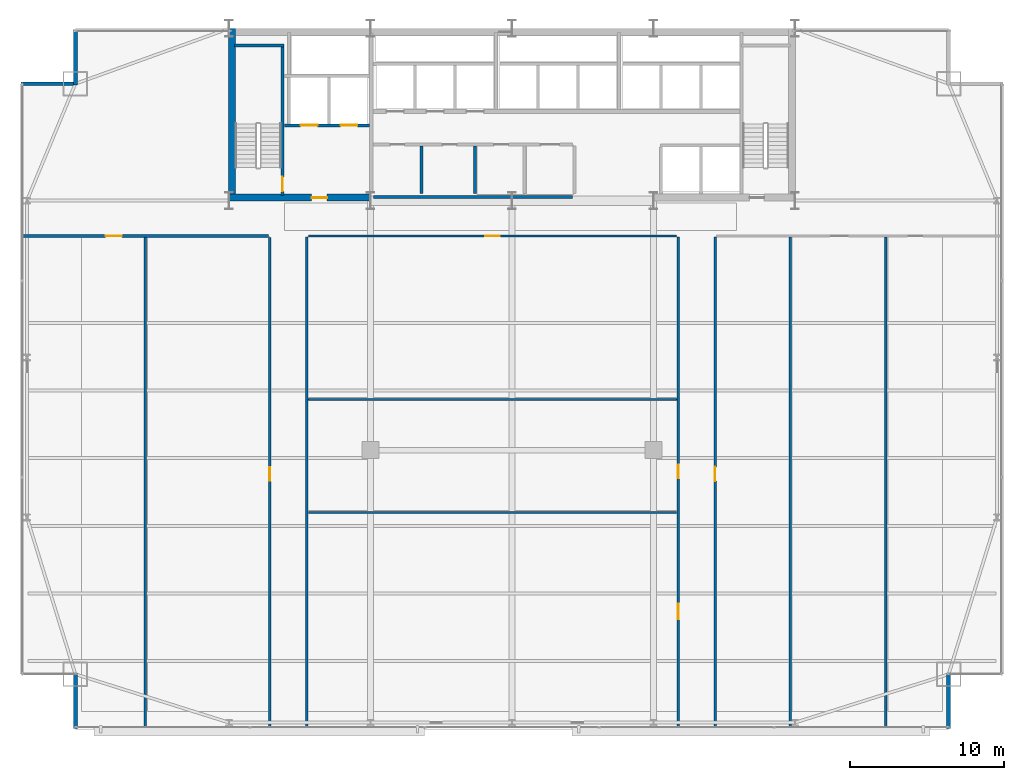
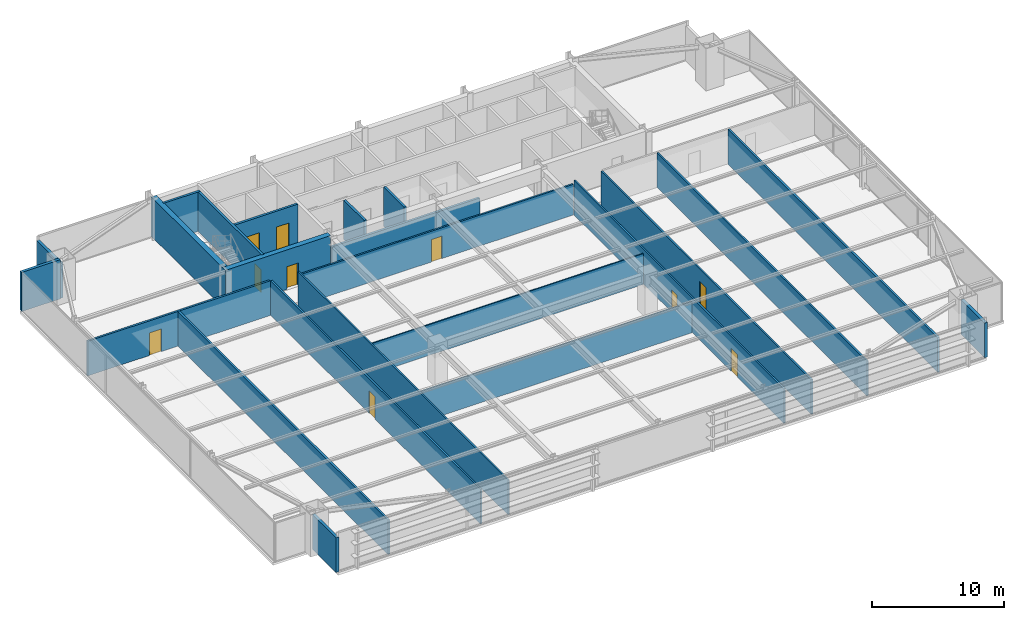
# One storey, part 28 of 32: 23 walls, 10 doors, 10 openings.
"""IFC4 building model written with IfcOpenShell, lengths in metres."""

from ifc_helpers import new_model, si_unit, direction, frame, frame_2d, origin, place, context, subcontext, project, spatial, rectangle, extrude, source, transform, mapped, material, layer, layer_set, type_object, type_shapes, element, fill, save


model = new_model("IFC4")

# Units and contexts
model_context = context("Model", 3, precision=1e-05, world=origin(), true_north=direction((0.0, 1.0)))
body_context = subcontext(model_context, "Body", "Model", "MODEL_VIEW")
ifc_project = project(units=[si_unit("LENGTHUNIT", "METRE"), si_unit("AREAUNIT", "SQUARE_METRE"), si_unit("VOLUMEUNIT", "CUBIC_METRE"), si_unit("PLANEANGLEUNIT", "RADIAN"), si_unit("MASSUNIT", "GRAM", prefix="KILO")], contexts=[model_context])

# Site, building, storey
site_placement = place(None, origin())
site = spatial("IfcSite", under=ifc_project, at=site_placement, CompositionType="ELEMENT")
building_placement = place(site_placement, origin())
building = spatial("IfcBuilding", under=site, at=building_placement, Name="Varnel Quay Broadcast Tower", CompositionType="ELEMENT")
storey_placement = place(building_placement, frame((0.0, 0.0, 70.5)))
storey = spatial("IfcBuildingStorey", under=building, at=storey_placement, Name="L16", CompositionType="ELEMENT", Elevation=70.5)

# Wall, opening, door
ifc_material_1 = material(Name="Concrete CSA A23.3 C50/60", Category="concrete")
ifc_layer_1 = layer(ifc_material_1, 0.199951171875, Name="Concrete CSA A23.3 C50/60")
ifc_layer_set_1 = layer_set([ifc_layer_1], Name="Concrete CSA A23.3 C50/60")
wall_type_1 = type_object("IfcWallType", Name="Wall_CoreShaftShear200", PredefinedType="SHEAR", material=ifc_layer_set_1)
wall_1_placement = place(storey_placement, frame((19.080078125, 35.949951171875, 0.0), z_axis=(0.0, 0.0, 1.0), x_axis=(0.0, 1.0, 0.0)))
wall_1 = element("IfcWall", 1, at=wall_1_placement, inside=storey, type_object=wall_type_1, Name="L16 Stair 1 East Structural Wall", PredefinedType="SHEAR", context=body_context, shape_type="SweptSolid", body=[
    extrude(rectangle(XDim=9.650146484375, YDim=0.199951171875, at=frame_2d((4.8251953125, 0.0))), origin(), (0.0, 0.0, 1.0), 3.64990234375),
])
opening_1_placement = place(wall_1_placement, frame((0.25, 0.0, 0.0)))
opening_1 = element("IfcOpeningElement", 2, at=opening_1_placement, cuts=wall_1, Name="Opening D-L16-S1", PredefinedType="OPENING", context=body_context, shape_type="SweptSolid", body=[
    extrude(rectangle(XDim=0.949951171875, YDim=2.10009765625, at=frame_2d((0.47509765625, 1.050048828125))), frame((0.0, 0.10986328125, 0.0), z_axis=(0.0, -1.0, 0.0), x_axis=(1.0, 0.0, 0.0)), (0.0, 0.0, 1.0), 0.219970703125),
])
ifc_material_2 = material(Name="Insulated Fire-Rated Hollow Steel Door", Category="steel")
door_type_1 = type_object("IfcDoorType", Name="Door_FireStair950", OperationType="NOTDEFINED", PredefinedType="DOOR", material=ifc_material_2)
shared_shape_1 = source(origin(), body_context, "Body", "SweptSolid", [
    extrude(rectangle(XDim=0.949951171875, YDim=2.10009765625, at=frame_2d((0.47509765625, 1.050048828125))), frame((0.0, 0.02490234375, 0.0), z_axis=(0.0, -1.0, 0.0), x_axis=(1.0, 0.0, 0.0)), (0.0, 0.0, 1.0), 0.050048828125),
])
type_shapes(door_type_1, [shared_shape_1])
door_1_placement = place(opening_1_placement, origin())
door_1 = element("IfcDoor", 3, at=door_1_placement, inside=storey, type_object=door_type_1, Name="L16 Stair 1 Fire Door", OperationType="SINGLE_SWING_LEFT", OverallHeight=2.10009765625, OverallWidth=0.949951171875, PredefinedType="DOOR", context=body_context, shape_type="MappedRepresentation", body=[
    mapped(shared_shape_1, transform((0.0, 0.0, 0.0), x_axis=(1.0, 0.0, 0.0), y_axis=(0.0, 1.0, 0.0), z_axis=(0.0, 0.0, 1.0), scale=1.0)),
])
fill(opening_1, door_1)

# Wall
wall_2_placement = place(storey_placement, frame((15.949951171875, 45.679931640625, 0.0), z_axis=(0.0, 0.0, 1.0), x_axis=(1.0, 0.0, 0.0)))
element("IfcWall", 4, at=wall_2_placement, inside=storey, type_object=wall_type_1, Name="L16 Stair 1 North Structural Wall", PredefinedType="SHEAR", context=body_context, shape_type="SweptSolid", body=[
    extrude(rectangle(XDim=3.22998046875, YDim=0.199951171875, at=frame_2d((1.614990234375, 0.0))), origin(), (0.0, 0.0, 1.0), 3.64990234375),
])

# Wall, openings, doors
wall_3_placement = place(storey_placement, frame((19.199951171875, 40.5, 0.0), z_axis=(0.0, 0.0, 1.0), x_axis=(1.0, 0.0, 0.0)))
wall_3 = element("IfcWall", 5, at=wall_3_placement, inside=storey, type_object=wall_type_1, Name="L16 Firefighter Lift Shaft Front Wall", PredefinedType="SHEAR", context=body_context, shape_type="SweptSolid", body=[
    extrude(rectangle(XDim=5.52001953125, YDim=0.199951171875, at=frame_2d((2.760009765625, 0.0))), origin(), (0.0, 0.0, 1.0), 3.64990234375),
])
opening_2_placement = place(wall_3_placement, frame((1.050048828125, 0.0, 0.0)))
opening_2 = element("IfcOpeningElement", 6, at=opening_2_placement, cuts=wall_3, Name="Opening LD-L16-FE1", PredefinedType="OPENING", context=body_context, shape_type="SweptSolid", body=[
    extrude(rectangle(XDim=1.10009765625, YDim=2.179931640625, at=frame_2d((0.550048828125, 1.08984375))), frame((0.0, 0.10986328125, 0.0), z_axis=(0.0, -1.0, 0.0), x_axis=(1.0, 0.0, 0.0)), (0.0, 0.0, 1.0), 0.219970703125),
])
opening_3_placement = place(wall_3_placement, frame((3.64990234375, 0.0, 0.0)))
opening_3 = element("IfcOpeningElement", 7, at=opening_3_placement, cuts=wall_3, Name="Opening LD-L16-FE2", PredefinedType="OPENING", context=body_context, shape_type="SweptSolid", body=[
    extrude(rectangle(XDim=1.10009765625, YDim=2.179931640625, at=frame_2d((0.550048828125, 1.08984375))), frame((0.0, 0.10986328125, 0.0), z_axis=(0.0, -1.0, 0.0), x_axis=(1.0, 0.0, 0.0)), (0.0, 0.0, 1.0), 0.219970703125),
])
ifc_material_3 = material(Name="Brushed Bronze-Stainless Lift Car & Sliding Doors", Category="steel")
door_type_2 = type_object("IfcDoorType", Name="Door_LiftLanding1100", OperationType="SLIDING_TO_LEFT", PredefinedType="DOOR", material=ifc_material_3)
shared_shape_2 = source(origin(), body_context, "Body", "SweptSolid", [
    extrude(rectangle(XDim=1.10009765625, YDim=2.179931640625, at=frame_2d((0.550048828125, 1.08984375))), frame((0.0, 0.02490234375, 0.0), z_axis=(0.0, -1.0, 0.0), x_axis=(1.0, 0.0, 0.0)), (0.0, 0.0, 1.0), 0.050048828125),
])
type_shapes(door_type_2, [shared_shape_2])
door_2_placement = place(opening_2_placement, frame((1.10009765625, 0.0, 0.0), z_axis=(0.0, 0.0, 1.0), x_axis=(-1.0, 0.0, 0.0)))
door_2 = element("IfcDoor", 8, at=door_2_placement, inside=storey, type_object=door_type_2, Name="L16 Firefighter Lift FE-01 Landing Door", OperationType="SLIDING_TO_LEFT", OverallHeight=2.179931640625, OverallWidth=1.10009765625, PredefinedType="DOOR", context=body_context, shape_type="MappedRepresentation", body=[
    mapped(shared_shape_2, transform((0.0, 0.0, 0.0), x_axis=(1.0, 0.0, 0.0), y_axis=(0.0, 1.0, 0.0), z_axis=(0.0, 0.0, 1.0), scale=1.0)),
])
fill(opening_2, door_2)
door_3_placement = place(opening_3_placement, frame((1.10009765625, 0.0, 0.0), z_axis=(0.0, 0.0, 1.0), x_axis=(-1.0, 0.0, 0.0)))
door_3 = element("IfcDoor", 9, at=door_3_placement, inside=storey, type_object=door_type_2, Name="L16 Firefighter Lift FE-02 Landing Door", OperationType="SLIDING_TO_RIGHT", OverallHeight=2.179931640625, OverallWidth=1.10009765625, PredefinedType="DOOR", context=body_context, shape_type="MappedRepresentation", body=[
    mapped(shared_shape_2, transform((0.0, 0.0, 0.0), x_axis=(1.0, 0.0, 0.0), y_axis=(0.0, 1.0, 0.0), z_axis=(0.0, 0.0, 1.0), scale=1.0)),
])
fill(opening_3, door_3)

# Wall
ifc_material_4 = material(Name="Concrete CSA A23.3 C60/75", Category="concrete")
ifc_layer_2 = layer(ifc_material_4, 0.449951171875, Name="Concrete CSA A23.3 C60/75")
ifc_layer_set_2 = layer_set([ifc_layer_2], Name="Concrete CSA A23.3 C60/75")
wall_type_2 = type_object("IfcWallType", Name="Wall_CoreShearInt450", PredefinedType="SHEAR", material=ifc_layer_set_2)
wall_4_placement = place(storey_placement, frame((15.794921875, 35.570068359375, 0.0), z_axis=(0.0, 0.0, 1.0), x_axis=(0.0, 1.0, 0.0)))
element("IfcWall", 10, at=wall_4_placement, inside=storey, type_object=wall_type_2, Name="L16 West Core Shear Wall", PredefinedType="SHEAR", context=body_context, shape_type="SweptSolid", body=[
    extrude(rectangle(XDim=11.22998046875, YDim=0.449951171875, at=frame_2d((5.614990234375, 0.0))), origin(), (0.0, 0.0, 1.0), 3.64990234375),
])

# Wall, opening, door
wall_5_placement = place(storey_placement, frame((15.570068359375, 35.794921875, 0.0), z_axis=(0.0, 0.0, 1.0), x_axis=(1.0, 0.0, 0.0)))
wall_5 = element("IfcWall", 11, at=wall_5_placement, inside=storey, type_object=wall_type_2, Name="L16 South-West Core Shear Wall", PredefinedType="SHEAR", context=body_context, shape_type="SweptSolid", body=[
    extrude(rectangle(XDim=9.22998046875, YDim=0.449951171875, at=frame_2d((4.614990234375, 0.0))), origin(), (0.0, 0.0, 1.0), 3.64990234375),
])
opening_4_placement = place(wall_5_placement, frame((5.39990234375, 0.0, 0.0)))
opening_4 = element("IfcOpeningElement", 12, at=opening_4_placement, cuts=wall_5, Name="Opening D-L16-FFL", PredefinedType="OPENING", context=body_context, shape_type="SweptSolid", body=[
    extrude(rectangle(XDim=1.0, YDim=2.10009765625, at=frame_2d((0.5, 1.050048828125))), frame((0.0, 0.23486328125, 0.0), z_axis=(0.0, -1.0, 0.0), x_axis=(1.0, 0.0, 0.0)), (0.0, 0.0, 1.0), 0.469970703125),
])
door_type_3 = type_object("IfcDoorType", Name="Door_FireLobby1000", OperationType="NOTDEFINED", PredefinedType="DOOR", material=ifc_material_2)
shared_shape_3 = source(origin(), body_context, "Body", "SweptSolid", [
    extrude(rectangle(XDim=1.0, YDim=2.10009765625, at=frame_2d((0.5, 1.050048828125))), frame((0.0, 0.02490234375, 0.0), z_axis=(0.0, -1.0, 0.0), x_axis=(1.0, 0.0, 0.0)), (0.0, 0.0, 1.0), 0.050048828125),
])
type_shapes(door_type_3, [shared_shape_3])
door_4_placement = place(opening_4_placement, origin())
door_4 = element("IfcDoor", 13, at=door_4_placement, inside=storey, type_object=door_type_3, Name="L16 Firefighting Lobby Door", OperationType="SINGLE_SWING_RIGHT", OverallHeight=2.10009765625, OverallWidth=1.0, PredefinedType="DOOR", context=body_context, shape_type="MappedRepresentation", body=[
    mapped(shared_shape_3, transform((0.0, 0.0, 0.0), x_axis=(1.0, 0.0, 0.0), y_axis=(0.0, 1.0, 0.0), z_axis=(0.0, 0.0, 1.0), scale=1.0)),
])
fill(opening_4, door_4)

# Walls
ifc_material_5 = material(Name="Precast Architectural Concrete C40/50", Category="concrete")
ifc_layer_3 = layer(ifc_material_5, 0.25, Name="Precast Architectural Concrete C40/50")
ifc_layer_set_3 = layer_set([ifc_layer_3], Name="Precast Architectural Concrete C40/50")
wall_type_3 = type_object("IfcWallType", Name="Wall_ExtTerrace250", PredefinedType="SOLIDWALL", material=ifc_layer_set_3)
for number, where, z_axis, x_axis, name in (
    (14, (5.60009765625, 1.280029296875, 0.0), (0.0, 0.0, 1.0), (0.0, 1.0, 0.0), "L16 Mega-Column Notch Cladding Wall NSW2"),
    (15, (62.39990234375, 1.280029296875, 0.0), (0.0, 0.0, 1.0), (0.0, 1.0, 0.0), "L16 Mega-Column Notch Cladding Wall NSE2"),
):
    element("IfcWall", number, at=place(storey_placement, frame(where, z_axis=z_axis, x_axis=x_axis)), inside=storey, type_object=wall_type_3, Name=name, PredefinedType="SOLIDWALL", context=body_context, shape_type="SweptSolid", body=[
        extrude(rectangle(XDim=3.599853515625, YDim=0.25, at=frame_2d((1.7998046875, 0.0))), origin(), (0.0, 0.0, 1.0), 3.2080078125),
    ])
wall_6_placement = place(storey_placement, frame((2.080078125, 43.199951171875, 0.0), z_axis=(0.0, 0.0, 1.0), x_axis=(1.0, 0.0, 0.0)))
element("IfcWall", 16, at=wall_6_placement, inside=storey, type_object=wall_type_3, Name="L16 Mega-Column Notch Cladding Wall NNW1", PredefinedType="SOLIDWALL", context=body_context, shape_type="SweptSolid", body=[
    extrude(rectangle(XDim=3.389892578125, YDim=0.25, at=frame_2d((1.69482421875, 0.0))), origin(), (0.0, 0.0, 1.0), 3.6298828125),
])
wall_7_placement = place(storey_placement, frame((5.60009765625, 43.1201171875, 0.0), z_axis=(0.0, 0.0, 1.0), x_axis=(0.0, 1.0, 0.0)))
element("IfcWall", 17, at=wall_7_placement, inside=storey, type_object=wall_type_3, Name="L16 Mega-Column Notch Cladding Wall NNW2", PredefinedType="SOLIDWALL", context=body_context, shape_type="SweptSolid", body=[
    extrude(rectangle(XDim=3.599853515625, YDim=0.25, at=frame_2d((1.7998046875, 0.0))), origin(), (0.0, 0.0, 1.0), 3.2080078125),
])
ifc_material_6 = material(Name="Concrete Blockwork Fire Enclosure C40/50", Category="masonry")
ifc_layer_4 = layer(ifc_material_6, 0.199951171875, Name="Concrete Blockwork Fire Enclosure C40/50")
ifc_layer_set_4 = layer_set([ifc_layer_4], Name="Concrete Blockwork Fire Enclosure C40/50")
wall_type_4 = type_object("IfcWallType", Name="Wall_FireShaft200", PredefinedType="SOLIDWALL", material=ifc_layer_set_4)
wall_8_placement = place(storey_placement, frame((25.0, 35.824951171875, 0.0), z_axis=(0.0, 0.0, 1.0), x_axis=(1.0, 0.0, 0.0)))
element("IfcWall", 18, at=wall_8_placement, inside=storey, type_object=wall_type_4, Name="L16 Accessible Universal Washroom Partition 1", PredefinedType="SOLIDWALL", context=body_context, shape_type="SweptSolid", body=[
    extrude(rectangle(XDim=12.949951171875, YDim=0.199951171875, at=frame_2d((6.47509765625, 0.0))), origin(), (0.0, 0.0, 1.0), 2.425048828125),
])
ifc_material_7 = material(Name="Steel-Stud Fire-Rated Acoustic Gypsum Partition Assembly", Category="steel")
ifc_layer_5 = layer(ifc_material_7, 0.10498046875, Name="Steel-Stud Fire-Rated Acoustic Gypsum Partition Assembly")
ifc_layer_set_5 = layer_set([ifc_layer_5], Name="Steel-Stud Fire-Rated Acoustic Gypsum Partition Assembly")
wall_type_5 = type_object("IfcWallType", Name="Wall_Partition105", PredefinedType="PARTITIONING", material=ifc_layer_set_5)
wall_9_placement = place(storey_placement, frame((20.75, 22.669921875, 0.0), z_axis=(0.0, 0.0, 1.0), x_axis=(1.0, 0.0, 0.0)))
element("IfcWall", 19, at=wall_9_placement, inside=storey, type_object=wall_type_5, Name="L16 Camera Locker Store 4 Partition 13", PredefinedType="PARTITIONING", context=body_context, shape_type="SweptSolid", body=[
    extrude(rectangle(XDim=23.9599609375, YDim=0.10498046875, at=frame_2d((11.97998046875, 0.0))), origin(), (0.0, 0.0, 1.0), 2.85205078125),
])

# Wall, openings, doors
ifc_layer_6 = layer(ifc_material_7, 0.139892578125, Name="Steel-Stud Fire-Rated Acoustic Gypsum Partition Assembly")
ifc_layer_set_6 = layer_set([ifc_layer_6], Name="Steel-Stud Fire-Rated Acoustic Gypsum Partition Assembly")
wall_type_6 = type_object("IfcWallType", Name="Wall_Partition140", PredefinedType="PARTITIONING", material=ifc_layer_set_6)
wall_10_placement = place(storey_placement, frame((44.81005859375, 1.3798828125, 0.0), z_axis=(0.0, 0.0, 1.0), x_axis=(0.0, 1.0, 0.0)))
wall_10 = element("IfcWall", 20, at=wall_10_placement, inside=storey, type_object=wall_type_6, Name="L16 Press Green Lounge 3 Partition 10", PredefinedType="PARTITIONING", context=body_context, shape_type="SweptSolid", body=[
    extrude(rectangle(XDim=31.84521484375, YDim=0.139892578125, at=frame_2d((15.922607421875, 0.0))), origin(), (0.0, 0.0, 1.0), 3.2080078125),
])
opening_5_placement = place(wall_10_placement, frame((7.0, 0.0, 0.0)))
opening_5 = element("IfcOpeningElement", 21, at=opening_5_placement, cuts=wall_10, Name="Opening D-L16-07", PredefinedType="OPENING", context=body_context, shape_type="SweptSolid", body=[
    extrude(rectangle(XDim=1.0, YDim=2.10009765625, at=frame_2d((0.5, 1.050048828125))), frame((0.0, 0.080078125, 0.0), z_axis=(0.0, -1.0, 0.0), x_axis=(1.0, 0.0, 0.0)), (0.0, 0.0, 1.0), 0.159912109375),
])
opening_6_placement = place(wall_10_placement, frame((16.175048828125, 0.0, 0.0)))
opening_6 = element("IfcOpeningElement", 22, at=opening_6_placement, cuts=wall_10, Name="Opening D-L16-08", PredefinedType="OPENING", context=body_context, shape_type="SweptSolid", body=[
    extrude(rectangle(XDim=0.8798828125, YDim=2.06005859375, at=frame_2d((0.43994140625, 1.030029296875))), frame((0.0, 0.080078125, 0.0), z_axis=(0.0, -1.0, 0.0), x_axis=(1.0, 0.0, 0.0)), (0.0, 0.0, 1.0), 0.159912109375),
])
ifc_material_8 = material(Name="Solid-Core Fire-Rated Acoustic Oak Veneer Door", Category="wood")
door_type_4 = type_object("IfcDoorType", Name="Door_Booth880", OperationType="NOTDEFINED", PredefinedType="DOOR", material=ifc_material_8)
shared_shape_4 = source(origin(), body_context, "Body", "SweptSolid", [
    extrude(rectangle(XDim=0.8798828125, YDim=2.06005859375, at=frame_2d((0.43994140625, 1.030029296875))), frame((0.0, 0.02490234375, 0.0), z_axis=(0.0, -1.0, 0.0), x_axis=(1.0, 0.0, 0.0)), (0.0, 0.0, 1.0), 0.050048828125),
])
type_shapes(door_type_4, [shared_shape_4])
door_5_placement = place(opening_6_placement, origin())
door_5 = element("IfcDoor", 23, at=door_5_placement, inside=storey, type_object=door_type_4, Name="L16 Camera Locker Store 4 Door D-L16-08", OperationType="SINGLE_SWING_LEFT", OverallHeight=2.06005859375, OverallWidth=0.8798828125, PredefinedType="DOOR", context=body_context, shape_type="MappedRepresentation", body=[
    mapped(shared_shape_4, transform((0.0, 0.0, 0.0), x_axis=(1.0, 0.0, 0.0), y_axis=(0.0, 1.0, 0.0), z_axis=(0.0, 0.0, 1.0), scale=1.0)),
])
fill(opening_6, door_5)
door_type_5 = type_object("IfcDoorType", Name="Door_Exec1000", OperationType="NOTDEFINED", PredefinedType="DOOR", material=ifc_material_8)
shared_shape_5 = source(origin(), body_context, "Body", "SweptSolid", [
    extrude(rectangle(XDim=1.0, YDim=2.10009765625, at=frame_2d((0.5, 1.050048828125))), frame((0.0, 0.02490234375, 0.0), z_axis=(0.0, -1.0, 0.0), x_axis=(1.0, 0.0, 0.0)), (0.0, 0.0, 1.0), 0.050048828125),
])
type_shapes(door_type_5, [shared_shape_5])
door_6_placement = place(opening_5_placement, origin())
door_6 = element("IfcDoor", 24, at=door_6_placement, inside=storey, type_object=door_type_5, Name="L16 Press Green Lounge 3 Door D-L16-07", OperationType="SINGLE_SWING_RIGHT", OverallHeight=2.10009765625, OverallWidth=1.0, PredefinedType="DOOR", context=body_context, shape_type="MappedRepresentation", body=[
    mapped(shared_shape_5, transform((0.0, 0.0, 0.0), x_axis=(1.0, 0.0, 0.0), y_axis=(0.0, 1.0, 0.0), z_axis=(0.0, 0.0, 1.0), scale=1.0)),
])
fill(opening_5, door_6)

# Walls
wall_11_placement = place(storey_placement, frame((20.75, 15.320068359375, 0.0), z_axis=(0.0, 0.0, 1.0), x_axis=(1.0, 0.0, 0.0)))
element("IfcWall", 25, at=wall_11_placement, inside=storey, type_object=wall_type_6, Name="L16 Press Green Lounge 3 Partition 11", PredefinedType="PARTITIONING", context=body_context, shape_type="SweptSolid", body=[
    extrude(rectangle(XDim=23.9599609375, YDim=0.139892578125, at=frame_2d((11.97998046875, 0.0))), origin(), (0.0, 0.0, 1.0), 2.85205078125),
])
wall_12_placement = place(storey_placement, frame((20.64990234375, 1.3798828125, 0.0), z_axis=(0.0, 0.0, 1.0), x_axis=(0.0, 1.0, 0.0)))
element("IfcWall", 26, at=wall_12_placement, inside=storey, type_object=wall_type_6, Name="L16 Press Green Lounge 3 Partition 12", PredefinedType="PARTITIONING", context=body_context, shape_type="SweptSolid", body=[
    extrude(rectangle(XDim=31.84521484375, YDim=0.139892578125, at=frame_2d((15.922607421875, 0.0))), origin(), (0.0, 0.0, 1.0), 3.2080078125),
])

# Wall, opening, door
ifc_layer_7 = layer(ifc_material_7, 0.14990234375, Name="Steel-Stud Fire-Rated Acoustic Gypsum Partition Assembly")
ifc_layer_set_7 = layer_set([ifc_layer_7], Name="Steel-Stud Fire-Rated Acoustic Gypsum Partition Assembly")
wall_type_7 = type_object("IfcWallType", Name="Wall_Partition150", PredefinedType="PARTITIONING", material=ifc_layer_set_7)
wall_13_placement = place(storey_placement, frame((18.25, 1.3798828125, 0.0), z_axis=(0.0, 0.0, 1.0), x_axis=(0.0, 1.0, 0.0)))
wall_13 = element("IfcWall", 27, at=wall_13_placement, inside=storey, type_object=wall_type_7, Name="L16 Break Kitchen 2 Partition 9", PredefinedType="PARTITIONING", context=body_context, shape_type="SweptSolid", body=[
    extrude(rectangle(XDim=31.83203125, YDim=0.14990234375, at=frame_2d((15.916015625, 0.0))), origin(), (0.0, 0.0, 1.0), 3.2080078125),
])
opening_7_placement = place(wall_13_placement, frame((16.0, 0.0, 0.0)))
opening_7 = element("IfcOpeningElement", 28, at=opening_7_placement, cuts=wall_13, Name="Opening D-L16-06", PredefinedType="OPENING", context=body_context, shape_type="SweptSolid", body=[
    extrude(rectangle(XDim=0.8798828125, YDim=2.06005859375, at=frame_2d((0.43994140625, 1.030029296875))), frame((0.0, 0.0849609375, 0.0), z_axis=(0.0, -1.0, 0.0), x_axis=(1.0, 0.0, 0.0)), (0.0, 0.0, 1.0), 0.169921875),
])
door_7_placement = place(opening_7_placement, origin())
door_7 = element("IfcDoor", 29, at=door_7_placement, inside=storey, type_object=door_type_4, Name="L16 Break Kitchen 2 Door D-L16-06", OperationType="SINGLE_SWING_LEFT", OverallHeight=2.06005859375, OverallWidth=0.8798828125, PredefinedType="DOOR", context=body_context, shape_type="MappedRepresentation", body=[
    mapped(shared_shape_4, transform((0.0, 0.0, 0.0), x_axis=(1.0, 0.0, 0.0), y_axis=(0.0, 1.0, 0.0), z_axis=(0.0, 0.0, 1.0), scale=1.0)),
])
fill(opening_7, door_7)

wall_14_placement = place(storey_placement, frame((20.75, 33.300048828125, 0.0), z_axis=(0.0, 0.0, 1.0), x_axis=(1.0, 0.0, 0.0)))
wall_14 = element("IfcWall", 30, at=wall_14_placement, inside=storey, type_object=wall_type_7, Name="L16 Broadcast Newsroom 5 Partition 14", PredefinedType="PARTITIONING", context=body_context, shape_type="SweptSolid", body=[
    extrude(rectangle(XDim=23.9599609375, YDim=0.14990234375, at=frame_2d((11.97998046875, 0.0))), origin(), (0.0, 0.0, 1.0), 2.85205078125),
])
opening_8_placement = place(wall_14_placement, frame((11.52001953125, 0.0, 0.0)))
opening_8 = element("IfcOpeningElement", 31, at=opening_8_placement, cuts=wall_14, Name="Opening D-L16-09", PredefinedType="OPENING", context=body_context, shape_type="SweptSolid", body=[
    extrude(rectangle(XDim=0.919921875, YDim=2.080078125, at=frame_2d((0.4599609375, 1.0400390625))), frame((0.0, 0.0849609375, 0.0), z_axis=(0.0, -1.0, 0.0), x_axis=(1.0, 0.0, 0.0)), (0.0, 0.0, 1.0), 0.169921875),
])
door_type_6 = type_object("IfcDoorType", Name="Door_Office920", OperationType="NOTDEFINED", PredefinedType="DOOR", material=ifc_material_8)
shared_shape_6 = source(origin(), body_context, "Body", "SweptSolid", [
    extrude(rectangle(XDim=0.919921875, YDim=2.080078125, at=frame_2d((0.4599609375, 1.0400390625))), frame((0.0, 0.02490234375, 0.0), z_axis=(0.0, -1.0, 0.0), x_axis=(1.0, 0.0, 0.0)), (0.0, 0.0, 1.0), 0.050048828125),
])
type_shapes(door_type_6, [shared_shape_6])
door_8_placement = place(opening_8_placement, frame((0.919921875, 0.0, 0.0), z_axis=(0.0, 0.0, 1.0), x_axis=(-1.0, 0.0, 0.0)))
door_8 = element("IfcDoor", 32, at=door_8_placement, inside=storey, type_object=door_type_6, Name="L16 Broadcast Newsroom 5 Door D-L16-09", OperationType="SINGLE_SWING_RIGHT", OverallHeight=2.080078125, OverallWidth=0.919921875, PredefinedType="DOOR", context=body_context, shape_type="MappedRepresentation", body=[
    mapped(shared_shape_6, transform((0.0, 0.0, 0.0), x_axis=(1.0, 0.0, 0.0), y_axis=(0.0, 1.0, 0.0), z_axis=(0.0, 0.0, 1.0), scale=1.0)),
])
fill(opening_8, door_8)

# Wall
wall_15_placement = place(storey_placement, frame((52.090087890625, 1.3798828125, 0.0), z_axis=(0.0, 0.0, 1.0), x_axis=(0.0, 1.0, 0.0)))
element("IfcWall", 33, at=wall_15_placement, inside=storey, type_object=wall_type_7, Name="L16 Assignment Desk 6 Partition 15", PredefinedType="PARTITIONING", context=body_context, shape_type="SweptSolid", body=[
    extrude(rectangle(XDim=31.84521484375, YDim=0.14990234375, at=frame_2d((15.922607421875, 0.0))), origin(), (0.0, 0.0, 1.0), 3.2080078125),
])

# Wall, opening, door
wall_16_placement = place(storey_placement, frame((47.2099609375, 1.3798828125, 0.0), z_axis=(0.0, 0.0, 1.0), x_axis=(0.0, 1.0, 0.0)))
wall_16 = element("IfcWall", 34, at=wall_16_placement, inside=storey, type_object=wall_type_7, Name="L16 Assignment Desk 6 Partition 17", PredefinedType="PARTITIONING", context=body_context, shape_type="SweptSolid", body=[
    extrude(rectangle(XDim=31.84521484375, YDim=0.14990234375, at=frame_2d((15.922607421875, 0.0))), origin(), (0.0, 0.0, 1.0), 3.2080078125),
])
opening_9_placement = place(wall_16_placement, frame((15.97998046875, 0.0, 0.0)))
opening_9 = element("IfcOpeningElement", 35, at=opening_9_placement, cuts=wall_16, Name="Opening D-L16-10", PredefinedType="OPENING", context=body_context, shape_type="SweptSolid", body=[
    extrude(rectangle(XDim=0.919921875, YDim=2.080078125, at=frame_2d((0.4599609375, 1.0400390625))), frame((0.0, 0.0849609375, 0.0), z_axis=(0.0, -1.0, 0.0), x_axis=(1.0, 0.0, 0.0)), (0.0, 0.0, 1.0), 0.169921875),
])
door_9_placement = place(opening_9_placement, frame((0.919921875, 0.0, 0.0), z_axis=(0.0, 0.0, 1.0), x_axis=(-1.0, 0.0, 0.0)))
door_9 = element("IfcDoor", 36, at=door_9_placement, inside=storey, type_object=door_type_6, Name="L16 Assignment Desk 6 Door D-L16-10", OperationType="SINGLE_SWING_LEFT", OverallHeight=2.080078125, OverallWidth=0.919921875, PredefinedType="DOOR", context=body_context, shape_type="MappedRepresentation", body=[
    mapped(shared_shape_6, transform((0.0, 0.0, 0.0), x_axis=(1.0, 0.0, 0.0), y_axis=(0.0, 1.0, 0.0), z_axis=(0.0, 0.0, 1.0), scale=1.0)),
])
fill(opening_9, door_9)

# Wall
ifc_layer_8 = layer(ifc_material_7, 0.175048828125, Name="Steel-Stud Fire-Rated Acoustic Gypsum Partition Assembly")
ifc_layer_set_8 = layer_set([ifc_layer_8], Name="Steel-Stud Fire-Rated Acoustic Gypsum Partition Assembly")
wall_type_8 = type_object("IfcWallType", Name="Wall_Partition175", PredefinedType="PARTITIONING", material=ifc_layer_set_8)
wall_17_placement = place(storey_placement, frame((10.14990234375, 1.3798828125, 0.0), z_axis=(0.0, 0.0, 1.0), x_axis=(0.0, 1.0, 0.0)))
element("IfcWall", 37, at=wall_17_placement, inside=storey, type_object=wall_type_8, Name="L16 Editorial Boardroom 1 Partition 7", PredefinedType="PARTITIONING", context=body_context, shape_type="SweptSolid", body=[
    extrude(rectangle(XDim=31.83203125, YDim=0.175048828125, at=frame_2d((15.916015625, 0.0))), origin(), (0.0, 0.0, 1.0), 3.2080078125),
])

# Wall, opening, door
wall_18_placement = place(storey_placement, frame((2.179931640625, 33.300048828125, 0.0), z_axis=(0.0, 0.0, 1.0), x_axis=(1.0, 0.0, 0.0)))
wall_18 = element("IfcWall", 38, at=wall_18_placement, inside=storey, type_object=wall_type_8, Name="L16 Editorial Boardroom 1 Partition 8", PredefinedType="PARTITIONING", context=body_context, shape_type="SweptSolid", body=[
    extrude(rectangle(XDim=15.969970703125, YDim=0.175048828125, at=frame_2d((7.98486328125, 0.0))), origin(), (0.0, 0.0, 1.0), 3.2080078125),
])
opening_10_placement = place(wall_18_placement, frame((5.39501953125, 0.0, 0.0)))
opening_10 = element("IfcOpeningElement", 39, at=opening_10_placement, cuts=wall_18, Name="Opening D-L16-05", PredefinedType="OPENING", context=body_context, shape_type="SweptSolid", body=[
    extrude(rectangle(XDim=1.050048828125, YDim=2.10009765625, at=frame_2d((0.52490234375, 1.050048828125))), frame((0.0, 0.09765625, 0.0), z_axis=(0.0, -1.0, 0.0), x_axis=(1.0, 0.0, 0.0)), (0.0, 0.0, 1.0), 0.195068359375),
])
door_type_7 = type_object("IfcDoorType", Name="Door_Meeting1050", OperationType="NOTDEFINED", PredefinedType="DOOR", material=ifc_material_8)
shared_shape_7 = source(origin(), body_context, "Body", "SweptSolid", [
    extrude(rectangle(XDim=1.050048828125, YDim=2.10009765625, at=frame_2d((0.52490234375, 1.050048828125))), frame((0.0, 0.02490234375, 0.0), z_axis=(0.0, -1.0, 0.0), x_axis=(1.0, 0.0, 0.0)), (0.0, 0.0, 1.0), 0.050048828125),
])
type_shapes(door_type_7, [shared_shape_7])
door_10_placement = place(opening_10_placement, frame((1.050048828125, 0.0, 0.0), z_axis=(0.0, 0.0, 1.0), x_axis=(-1.0, 0.0, 0.0)))
door_10 = element("IfcDoor", 40, at=door_10_placement, inside=storey, type_object=door_type_7, Name="L16 Editorial Boardroom 1 Door D-L16-05", OperationType="SINGLE_SWING_RIGHT", OverallHeight=2.10009765625, OverallWidth=1.050048828125, PredefinedType="DOOR", context=body_context, shape_type="MappedRepresentation", body=[
    mapped(shared_shape_7, transform((0.0, 0.0, 0.0), x_axis=(1.0, 0.0, 0.0), y_axis=(0.0, 1.0, 0.0), z_axis=(0.0, 0.0, 1.0), scale=1.0)),
])
fill(opening_10, door_10)

# Walls
wall_19_placement = place(storey_placement, frame((58.31005859375, 1.3798828125, 0.0), z_axis=(0.0, 0.0, 1.0), x_axis=(0.0, 1.0, 0.0)))
element("IfcWall", 41, at=wall_19_placement, inside=storey, type_object=wall_type_8, Name="L16 Editorial Boardroom 7 Partition 18", PredefinedType="PARTITIONING", context=body_context, shape_type="SweptSolid", body=[
    extrude(rectangle(XDim=31.84521484375, YDim=0.175048828125, at=frame_2d((15.922607421875, 0.0))), origin(), (0.0, 0.0, 1.0), 3.2080078125),
])
ifc_material_9 = material(Name="Fire-Rated Moisture-Resistant Plumbing Chase Partition")
ifc_layer_9 = layer(ifc_material_9, 0.199951171875, Name="Fire-Rated Moisture-Resistant Plumbing Chase Partition")
ifc_layer_set_9 = layer_set([ifc_layer_9], Name="Fire-Rated Moisture-Resistant Plumbing Chase Partition")
wall_type_9 = type_object("IfcWallType", Name="Wall_Plumbing200", PredefinedType="PLUMBINGWALL", material=ifc_layer_set_9)
for number, where, z_axis, x_axis, name in (
    (42, (28.10009765625, 36.050048828125, 0.0), (0.0, 0.0, 1.0), (0.0, 1.0, 0.0), "L16 Accessible Universal Washroom Partition 2"),
    (43, (31.60009765625, 36.050048828125, 0.0), (0.0, 0.0, 1.0), (0.0, 1.0, 0.0), "L16 Staff Washroom Block Partition 4"),
):
    element("IfcWall", number, at=place(storey_placement, frame(where, z_axis=z_axis, x_axis=x_axis)), inside=storey, type_object=wall_type_9, Name=name, PredefinedType="PLUMBINGWALL", context=body_context, shape_type="SweptSolid", body=[
        extrude(rectangle(XDim=3.099853515625, YDim=0.199951171875, at=frame_2d((1.5498046875, 0.0))), origin(), (0.0, 0.0, 1.0), 3.6298828125),
    ])

save(model, "model.ifc")
